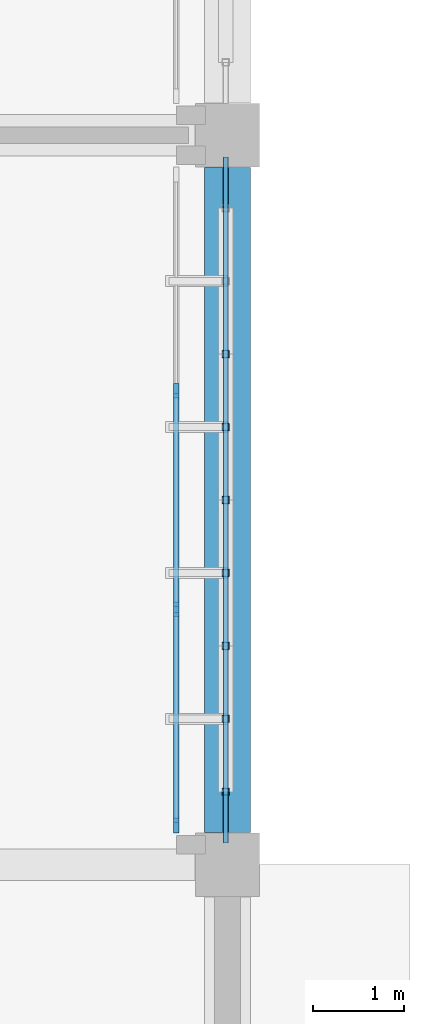
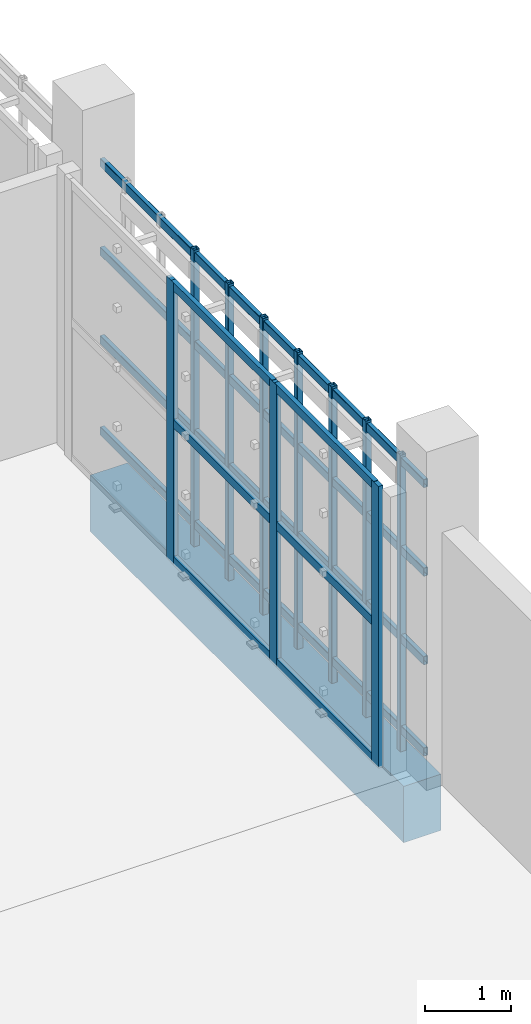
# One storey, part 66 of 117: 20 members, 1 beam, 1 element without a shape of its own.
"""IFC4 building model written with IfcOpenShell, lengths in metres."""

from ifc_helpers import new_model, si_unit, direction, frame, origin, origin_2d, place, context, subcontext, project, spatial, rectangle, hollow_rectangle, extrude, material, layer, layer_set, material_profile, profile_set, type_object, element, aggregate, save


model = new_model("IFC4")

# Units and contexts
model_context = context("Model", 3, precision=1e-05, world=origin(), true_north=direction((0.0, 1.0)))
body_context = subcontext(model_context, "Body", "Model", "MODEL_VIEW")
ifc_project = project(units=[si_unit("LENGTHUNIT", "METRE"), si_unit("AREAUNIT", "SQUARE_METRE"), si_unit("VOLUMEUNIT", "CUBIC_METRE"), si_unit("PLANEANGLEUNIT", "RADIAN"), si_unit("MASSUNIT", "GRAM", prefix="KILO")], contexts=[model_context])

# Site, building, storey
site_placement = place(None, origin())
site = spatial("IfcSite", under=ifc_project, at=site_placement, CompositionType="ELEMENT")
building_placement = place(site_placement, origin())
building = spatial("IfcBuilding", under=site, at=building_placement, Name="Jelvoka-Kovrelna Polytechnic", CompositionType="ELEMENT")
storey_placement = place(building_placement, origin())
storey = spatial("IfcBuildingStorey", under=building, at=storey_placement, Name="L01", CompositionType="ELEMENT", Elevation=0.0)

# Beam
ifc_material_1 = material(Name="Concrete C40/50", Category="concrete")
ifc_material_profile_1 = material_profile(ifc_material_1, rectangle(XDim=0.5, YDim=0.800048828125, at=origin_2d()), Name="RC 500x800")
ifc_profile_set_1 = profile_set([ifc_material_profile_1], Name="Concrete C40/50")
beam_type = type_object("IfcBeamType", Name="Beam_RC_500x800", PredefinedType="BEAM", material=ifc_profile_set_1)
beam_placement = place(storey_placement, frame((200.0, 32.35498046875, -0.804931640625), z_axis=(0.0, 1.0, 0.0), x_axis=(-1.0, 0.0, 0.0)))
element("IfcBeam", 1, at=beam_placement, inside=storey, type_object=beam_type, Name="L01 beam 0441", PredefinedType="BEAM", context=body_context, shape_type="SweptSolid", body=[
    extrude(rectangle(XDim=0.5, YDim=0.800048828125, at=origin_2d()), origin(), (0.0, 0.0, 1.0), 7.2900390625),
])

# Members
ifc_material_2 = material(Name="Structural steel S355J2H", Category="steel")
ifc_material_profile_2 = material_profile(ifc_material_2, hollow_rectangle(XDim=0.06005859375, YDim=0.1201171875, WallThickness=0.0048828125, InnerFilletRadius=0.0048828125, OuterFilletRadius=0.007568359375, at=origin_2d()), Name="120x60x5.0 RHS")
ifc_profile_set_2 = profile_set([ifc_material_profile_2], Name="Structural steel S355J2H")
member_type_1 = type_object("IfcMemberType", Name="Member_Strut_RHS120", PredefinedType="STRUT", material=ifc_profile_set_2)
for number, where, z_axis, x_axis, name in (
    (2, (199.97998046875, 32.239990234375, 0.080078125), (0.0, 1.0, 0.0), (-1.0, 0.0, 0.0), "L01 terracotta screen horizontal strut 0300"),
    (3, (199.97998046875, 32.239990234375, 1.37548828125), (0.0, 1.0, 0.0), (-1.0, 0.0, 0.0), "L01 terracotta screen horizontal strut 0301"),
    (4, (199.97998046875, 32.239990234375, 2.6328125), (0.0, 1.0, 0.0), (-1.0, 0.0, 0.0), "L01 terracotta screen horizontal strut 0302"),
    (5, (199.97998046875, 32.239990234375, 3.889892578125), (0.0, 1.0, 0.0), (-1.0, 0.0, 0.0), "L01 terracotta screen horizontal strut 0303"),
):
    element("IfcMember", number, at=place(storey_placement, frame(where, z_axis=z_axis, x_axis=x_axis)), inside=storey, type_object=member_type_1, Name=name, PredefinedType="STRUT", context=body_context, shape_type="SweptSolid", body=[
        extrude(hollow_rectangle(XDim=0.06005859375, YDim=0.1201171875, WallThickness=0.0048828125, InnerFilletRadius=0.0048828125, OuterFilletRadius=0.007568359375, at=origin_2d()), origin(), (0.0, 0.0, 1.0), 7.52001953125),
    ])
ifc_material_3 = material(Name="Structural steel S355J2H", Category="steel")
ifc_material_profile_3 = material_profile(ifc_material_3, hollow_rectangle(XDim=0.080078125, YDim=0.080078125, WallThickness=0.0048828125, InnerFilletRadius=0.0048828125, OuterFilletRadius=0.007568359375, at=origin_2d()), Name="80x80x5.0 SHS")
ifc_profile_set_3 = profile_set([ifc_material_profile_3], Name="Structural steel S355J2H")
member_type_2 = type_object("IfcMemberType", Name="Member_Strut_SHS80", PredefinedType="STRUT", material=ifc_profile_set_3)
for number, where, z_axis, x_axis, name in (
    (6, (199.97998046875, 32.800048828125, -0.22998046875), (0.0, 0.0, 1.0), (1.0, 0.0, 0.0), "L01 terracotta lattice vertical rib 0304"),
    (7, (199.97998046875, 33.60009765625, -0.22998046875), (0.0, 0.0, 1.0), (1.0, 0.0, 0.0), "L01 terracotta lattice vertical rib 0305"),
    (8, (199.97998046875, 34.39990234375, -0.22998046875), (0.0, 0.0, 1.0), (1.0, 0.0, 0.0), "L01 terracotta lattice vertical rib 0306"),
    (9, (199.97998046875, 35.199951171875, -0.22998046875), (0.0, 0.0, 1.0), (1.0, 0.0, 0.0), "L01 terracotta lattice vertical rib 0307"),
    (10, (199.97998046875, 36.0, -0.22998046875), (0.0, 0.0, 1.0), (1.0, 0.0, 0.0), "L01 terracotta lattice vertical rib 0308"),
    (11, (199.97998046875, 36.800048828125, -0.22998046875), (0.0, 0.0, 1.0), (1.0, 0.0, 0.0), "L01 terracotta lattice vertical rib 0309"),
    (12, (199.97998046875, 37.60009765625, -0.22998046875), (0.0, 0.0, 1.0), (1.0, 0.0, 0.0), "L01 terracotta lattice vertical rib 0310"),
):
    element("IfcMember", number, at=place(storey_placement, frame(where, z_axis=z_axis, x_axis=x_axis)), inside=storey, type_object=member_type_2, Name=name, PredefinedType="STRUT", context=body_context, shape_type="SweptSolid", body=[
        extrude(hollow_rectangle(XDim=0.080078125, YDim=0.080078125, WallThickness=0.0048828125, InnerFilletRadius=0.0048828125, OuterFilletRadius=0.007568359375, at=origin_2d()), origin(), (0.0, 0.0, 1.0), 4.2099609375),
    ])

# Curtain wall, members
ifc_material_4 = material(Name="Anodised aluminium 6063-T6", Category="aluminium")
ifc_layer = layer(ifc_material_4, 0.159912109375)
ifc_layer_set = layer_set([ifc_layer], Name="Anodised aluminium 6063-T6")
curtain_wall_type = type_object("IfcCurtainWallType", Name="CW_Recessed_A", PredefinedType="NOTDEFINED", material=ifc_layer_set)
curtain_wall_placement = place(storey_placement, origin())
curtain_wall = element("IfcCurtainWall", 13, at=curtain_wall_placement, inside=storey, type_object=curtain_wall_type, Name="L01 glazed curtain wall 044", PredefinedType="NOTDEFINED")
ifc_material_5 = material(Name="Anodised aluminium 6063-T6", Category="aluminium")
ifc_material_profile_4 = material_profile(ifc_material_5, rectangle(XDim=0.06005859375, YDim=0.159912109375, at=origin_2d()), Name="ALU 60x160")
ifc_profile_set_4 = profile_set([ifc_material_profile_4], Name="Anodised aluminium 6063-T6")
member_type_3 = type_object("IfcMemberType", Name="Mullion_M-01", PredefinedType="MULLION", material=ifc_profile_set_4)
member_1_placement = place(storey_placement, frame((199.43994140625, 37.199951171875, -0.02490234375), z_axis=(0.0, 0.0, 1.0), x_axis=(1.0, 0.0, 0.0)))
member_1 = element("IfcMember", 14, at=member_1_placement, type_object=member_type_3, Name="CW-01 mullion 2", PredefinedType="MULLION", context=body_context, shape_type="SweptSolid", body=[
    extrude(rectangle(XDim=0.06005859375, YDim=0.159912109375, at=origin_2d()), origin(), (0.0, 0.0, 1.0), 4.0),
])
member_2_placement = place(storey_placement, frame((199.43994140625, 34.800048828125, -0.02490234375), z_axis=(0.0, 0.0, 1.0), x_axis=(1.0, 0.0, 0.0)))
member_2 = element("IfcMember", 15, at=member_2_placement, type_object=member_type_3, Name="CW-01 mullion 3", PredefinedType="MULLION", context=body_context, shape_type="SweptSolid", body=[
    extrude(rectangle(XDim=0.06005859375, YDim=0.159912109375, at=origin_2d()), origin(), (0.0, 0.0, 1.0), 4.0),
])
member_3_placement = place(storey_placement, frame((199.43994140625, 32.429931640625, -0.02490234375), z_axis=(0.0, 0.0, 1.0), x_axis=(1.0, 0.0, 0.0)))
member_3 = element("IfcMember", 16, at=member_3_placement, type_object=member_type_3, Name="CW-01 mullion 4", PredefinedType="MULLION", context=body_context, shape_type="SweptSolid", body=[
    extrude(rectangle(XDim=0.06005859375, YDim=0.159912109375, at=origin_2d()), origin(), (0.0, 0.0, 1.0), 4.0),
])
ifc_material_6 = material(Name="Anodised aluminium 6063-T6", Category="aluminium")
ifc_material_profile_5 = material_profile(ifc_material_6, rectangle(XDim=0.06005859375, YDim=0.1201171875, at=origin_2d()), Name="ALU 60x120")
ifc_profile_set_5 = profile_set([ifc_material_profile_5], Name="Anodised aluminium 6063-T6")
member_type_4 = type_object("IfcMemberType", Name="Transom_T-01", PredefinedType="USERDEFINED", material=ifc_profile_set_5)
member_4_placement = place(storey_placement, frame((199.43994140625, 37.169921875, 0.030029296875), z_axis=(0.0, -1.0, 0.0), x_axis=(1.0, 0.0, 0.0)))
member_4 = element("IfcMember", 17, at=member_4_placement, type_object=member_type_4, Name="CW-01 transom 2.1", ObjectType="TRANSOM", PredefinedType="USERDEFINED", context=body_context, shape_type="SweptSolid", body=[
    extrude(rectangle(XDim=0.06005859375, YDim=0.1201171875, at=origin_2d()), origin(), (0.0, 0.0, 1.0), 2.33984375),
])
member_5_placement = place(storey_placement, frame((199.43994140625, 37.169921875, 1.97509765625), z_axis=(0.0, -1.0, 0.0), x_axis=(1.0, 0.0, 0.0)))
member_5 = element("IfcMember", 18, at=member_5_placement, type_object=member_type_4, Name="CW-01 transom 2.2", ObjectType="TRANSOM", PredefinedType="USERDEFINED", context=body_context, shape_type="SweptSolid", body=[
    extrude(rectangle(XDim=0.06005859375, YDim=0.1201171875, at=origin_2d()), origin(), (0.0, 0.0, 1.0), 2.33984375),
])
member_6_placement = place(storey_placement, frame((199.43994140625, 37.169921875, 3.919921875), z_axis=(0.0, -1.0, 0.0), x_axis=(1.0, 0.0, 0.0)))
member_6 = element("IfcMember", 19, at=member_6_placement, type_object=member_type_4, Name="CW-01 transom 2.3", ObjectType="TRANSOM", PredefinedType="USERDEFINED", context=body_context, shape_type="SweptSolid", body=[
    extrude(rectangle(XDim=0.06005859375, YDim=0.1201171875, at=origin_2d()), origin(), (0.0, 0.0, 1.0), 2.33984375),
])
member_7_placement = place(storey_placement, frame((199.43994140625, 34.77001953125, 0.030029296875), z_axis=(0.0, -1.0, 0.0), x_axis=(1.0, 0.0, 0.0)))
member_7 = element("IfcMember", 20, at=member_7_placement, type_object=member_type_4, Name="CW-01 transom 3.1", ObjectType="TRANSOM", PredefinedType="USERDEFINED", context=body_context, shape_type="SweptSolid", body=[
    extrude(rectangle(XDim=0.06005859375, YDim=0.1201171875, at=origin_2d()), origin(), (0.0, 0.0, 1.0), 2.31005859375),
])
member_8_placement = place(storey_placement, frame((199.43994140625, 34.77001953125, 1.97509765625), z_axis=(0.0, -1.0, 0.0), x_axis=(1.0, 0.0, 0.0)))
member_8 = element("IfcMember", 21, at=member_8_placement, type_object=member_type_4, Name="CW-01 transom 3.2", ObjectType="TRANSOM", PredefinedType="USERDEFINED", context=body_context, shape_type="SweptSolid", body=[
    extrude(rectangle(XDim=0.06005859375, YDim=0.1201171875, at=origin_2d()), origin(), (0.0, 0.0, 1.0), 2.31005859375),
])
member_9_placement = place(storey_placement, frame((199.43994140625, 34.77001953125, 3.919921875), z_axis=(0.0, -1.0, 0.0), x_axis=(1.0, 0.0, 0.0)))
member_9 = element("IfcMember", 22, at=member_9_placement, type_object=member_type_4, Name="CW-01 transom 3.3", ObjectType="TRANSOM", PredefinedType="USERDEFINED", context=body_context, shape_type="SweptSolid", body=[
    extrude(rectangle(XDim=0.06005859375, YDim=0.1201171875, at=origin_2d()), origin(), (0.0, 0.0, 1.0), 2.31005859375),
])
aggregate(curtain_wall, [member_1, member_2, member_3, member_4, member_5, member_6, member_7, member_8, member_9])

save(model, "model.ifc")
